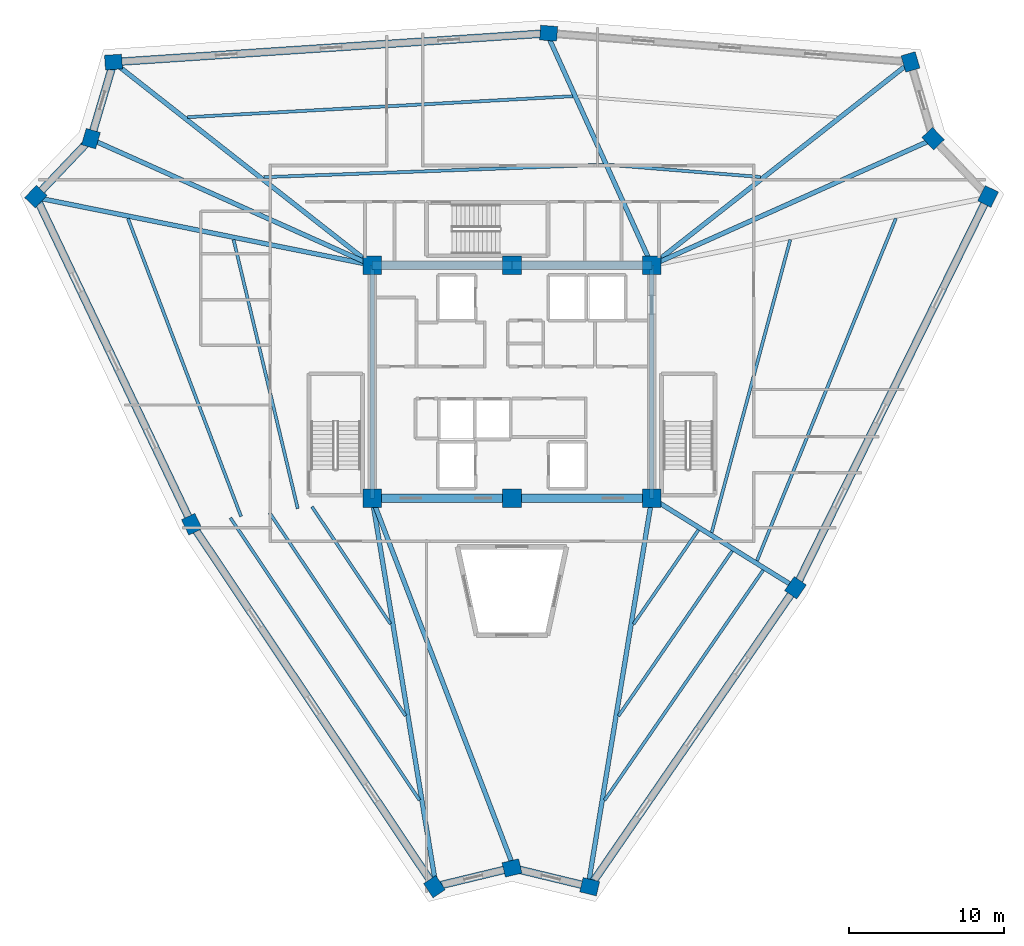
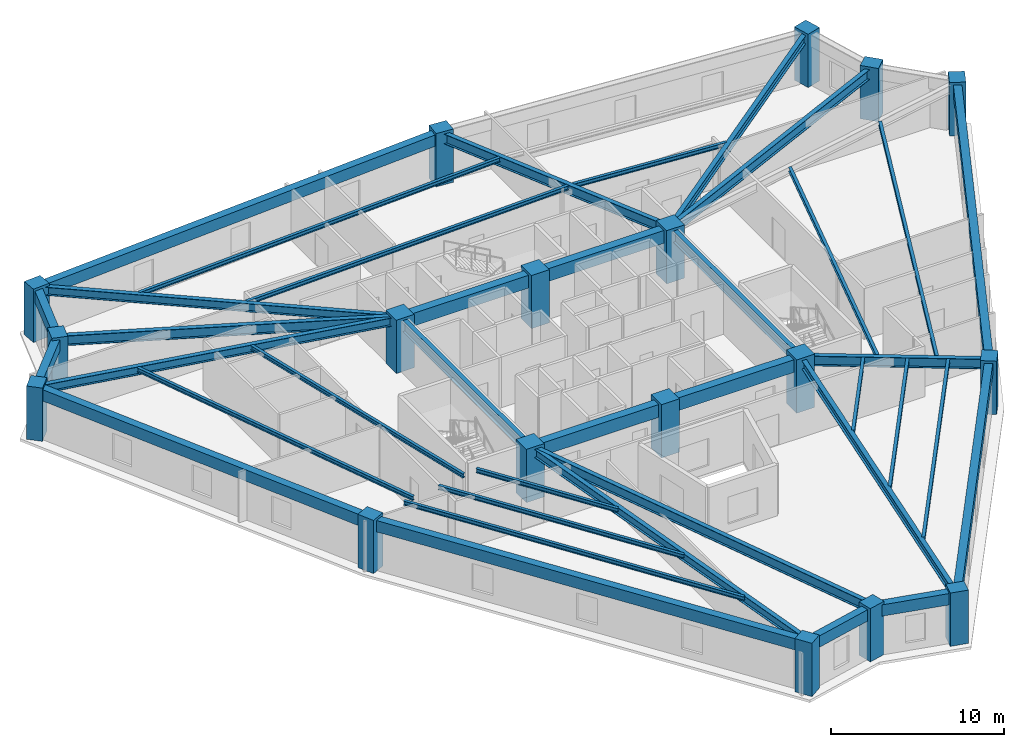
# One storey, part 1 of 8: 38 beams, 18 columns.
"""IFC4 building model written with IfcOpenShell, lengths in metres."""

from ifc_helpers import new_model, si_unit, direction, frame, origin, origin_2d, place, context, subcontext, project, spatial, rectangle, i_section, extrude, source, transform, mapped, material, material_profile, profile_set, type_object, element, save


model = new_model("IFC4")

# Units and contexts
model_context = context("Model", 3, precision=1e-05, world=origin(), true_north=direction((0.0, 1.0)))
body_context = subcontext(model_context, "Body", "Model", "MODEL_VIEW")
ifc_project = project(units=[si_unit("LENGTHUNIT", "METRE"), si_unit("AREAUNIT", "SQUARE_METRE"), si_unit("VOLUMEUNIT", "CUBIC_METRE"), si_unit("PLANEANGLEUNIT", "RADIAN"), si_unit("MASSUNIT", "GRAM", prefix="KILO")], contexts=[model_context])

# Site, building, storey
site_placement = place(None, origin())
site = spatial("IfcSite", under=ifc_project, at=site_placement, CompositionType="ELEMENT")
building_placement = place(site_placement, origin())
building = spatial("IfcBuilding", under=site, at=building_placement, Name="Liaohun Quay Tower", CompositionType="ELEMENT")
storey_placement = place(building_placement, frame((0.0, 0.0, 294.0)))
storey = spatial("IfcBuildingStorey", under=building, at=storey_placement, Name="L76", CompositionType="ELEMENT", Elevation=294.0)

# Columns
ifc_material_1 = material(Name="Concrete C50", Category="concrete")
ifc_material_profile_1 = material_profile(ifc_material_1, rectangle(XDim=1.199951171875, YDim=1.199951171875, at=origin_2d()), Name="RC1200x1200")
ifc_profile_set_1 = profile_set([ifc_material_profile_1], Name="Concrete C50")
column_type_1 = type_object("IfcColumnType", Name="COL-CC-Z4", PredefinedType="COLUMN", material=ifc_profile_set_1)
shared_shape_1 = source(origin(), body_context, "Body", "SweptSolid", [
    extrude(rectangle(XDim=1.199951171875, YDim=1.199951171875, at=origin_2d()), origin(), (0.0, 0.0, 1.0), 3.75),
])
for number, where, z_axis, x_axis, name in (
    (1, (51.0, 46.5, 0.0), (0.0, 0.0, 1.0), (1.0, 0.0, 0.0), "L76 Core Column CC1"),
    (2, (60.0, 46.5, 0.0), (0.0, 0.0, 1.0), (1.0, 0.0, 0.0), "L76 Core Column CC2"),
    (3, (69.0, 46.5, 0.0), (0.0, 0.0, 1.0), (1.0, 0.0, 0.0), "L76 Core Column CC3"),
    (4, (69.0, 61.5, 0.0), (0.0, 0.0, 1.0), (1.0, 0.0, 0.0), "L76 Core Column CC4"),
    (5, (60.0, 61.5, 0.0), (0.0, 0.0, 1.0), (1.0, 0.0, 0.0), "L76 Core Column CC5"),
    (6, (51.0, 61.5, 0.0), (0.0, 0.0, 1.0), (1.0, 0.0, 0.0), "L76 Core Column CC6"),
):
    element("IfcColumn", number, at=place(storey_placement, frame(where, z_axis=z_axis, x_axis=x_axis)), inside=storey, type_object=column_type_1, Name=name, PredefinedType="COLUMN", context=body_context, shape_type="MappedRepresentation", body=[
        mapped(shared_shape_1, transform((0.0, 0.0, 0.0), x_axis=(1.0, 0.0, 0.0), y_axis=(0.0, 1.0, 0.0), z_axis=(0.0, 0.0, 1.0), scale=1.0)),
    ])
ifc_material_profile_2 = material_profile(ifc_material_1, rectangle(XDim=1.10009765625, YDim=0.949951171875, at=origin_2d()), Name="RC1100x950")
ifc_profile_set_2 = profile_set([ifc_material_profile_2], Name="Concrete C50")
column_type_2 = type_object("IfcColumnType", Name="COL-PIER-Z4", PredefinedType="COLUMN", material=ifc_profile_set_2)
shared_shape_2 = source(origin(), body_context, "Body", "SweptSolid", [
    extrude(rectangle(XDim=1.10009765625, YDim=0.949951171875, at=origin_2d()), origin(), (0.0, 0.0, 1.0), 3.75),
])
for number, where, z_axis, x_axis, name in (
    (7, (55.008056640625, 21.507080078125, 0.0), (0.0, 0.0, 1.0), (-0.556150572878, 0.831081548518, 0.0), "L76 Perimeter Pier PC01"),
    (8, (39.39697265625, 44.8310546875, 0.0), (0.0, 0.0, 1.0), (-0.429880868547, 0.902885617815, 0.0), "L76 Perimeter Pier PC02"),
    (9, (29.35791015625, 65.9169921875, 0.0), (0.0, 0.0, 1.0), (0.68936671806, 0.724412539946, 0.0), "L76 Perimeter Pier PC03"),
    (10, (32.904052734375, 69.64404296875, 0.0), (0.0, 0.0, 1.0), (0.28284371374, 0.959166009405, 0.0), "L76 Perimeter Pier PC04"),
    (11, (34.35693359375, 74.570068359375, 0.0), (0.0, 0.0, 1.0), (0.997813020072, 0.066099750182, 0.0), "L76 Perimeter Pier PC05"),
    (12, (62.360107421875, 76.427001953125, 0.0), (0.0, 0.0, 1.0), (-0.996862316013, 0.079155056145, 0.0), "L76 Perimeter Pier PC06"),
    (13, (85.64111328125, 74.577880859375, 0.0), (0.0, 0.0, 1.0), (-0.28284371374, 0.959166009405, 0.0), "L76 Perimeter Pier PC07"),
    (14, (87.095947265625, 69.64404296875, 0.0), (0.0, 0.0, 1.0), (-0.68936671806, 0.724412539946, 0.0), "L76 Perimeter Pier PC08"),
    (15, (90.636962890625, 65.923095703125, 0.0), (0.0, 0.0, 1.0), (0.441662447194, 0.897181298701, 0.0), "L76 Perimeter Pier PC09"),
    (16, (78.241943359375, 40.741943359375, 0.0), (0.0, 0.0, 1.0), (0.566981447466, 0.82373056167, 0.0), "L76 Perimeter Pier PC10"),
    (17, (65.0, 21.5048828125, 0.0), (0.0, 0.0, 1.0), (-0.972083987461, 0.234633163303, 0.0), "L76 Perimeter Pier PC11"),
    (18, (60.0, 22.7119140625, 0.0), (0.0, 0.0, 1.0), (0.972083987461, 0.234633163303, 0.0), "L76 Perimeter Pier PC12"),
):
    element("IfcColumn", number, at=place(storey_placement, frame(where, z_axis=z_axis, x_axis=x_axis)), inside=storey, type_object=column_type_2, Name=name, PredefinedType="COLUMN", context=body_context, shape_type="MappedRepresentation", body=[
        mapped(shared_shape_2, transform((0.0, 0.0, 0.0), x_axis=(1.0, 0.0, 0.0), y_axis=(0.0, 1.0, 0.0), z_axis=(0.0, 0.0, 1.0), scale=1.0)),
    ])

# Beams
ifc_material_2 = material(Name="Steel Q355D", Category="steel")
ifc_material_profile_3 = material_profile(ifc_material_2, i_section(OverallWidth=0.300048828125, OverallDepth=0.800048828125, WebThickness=0.013916015625, FlangeThickness=0.02587890625, at=origin_2d()), Name="HN800x300x14x26")
ifc_profile_set_3 = profile_set([ifc_material_profile_3], Name="Steel Q355D")
beam_type_1 = type_object("IfcBeamType", Name="BM-RAD-M1", PredefinedType="BEAM", material=ifc_profile_set_3)
shared_shape_3 = source(origin(), body_context, "Body", "SweptSolid", [
    extrude(i_section(OverallWidth=0.300048828125, OverallDepth=0.800048828125, WebThickness=0.013916015625, FlangeThickness=0.02587890625, at=origin_2d()), origin(), (0.0, 0.0, 1.0), 15.0),
])
for number, where, z_axis, x_axis, name in (
    (19, (69.0, 46.5, 3.169921875), (0.0, 1.0, 0.0), (-1.0, 0.0, 0.0), "L76 Core Coupling/Ring Beam CC3-CC4"),
    (20, (51.0, 61.5, 3.169921875), (0.0, -1.0, 0.0), (1.0, 0.0, 0.0), "L76 Core Coupling/Ring Beam CC6-CC1"),
):
    element("IfcBeam", number, at=place(storey_placement, frame(where, z_axis=z_axis, x_axis=x_axis)), inside=storey, type_object=beam_type_1, Name=name, PredefinedType="BEAM", context=body_context, shape_type="MappedRepresentation", body=[
        mapped(shared_shape_3, transform((0.0, 0.0, 0.0), x_axis=(1.0, 0.0, 0.0), y_axis=(0.0, 1.0, 0.0), z_axis=(0.0, 0.0, 1.0), scale=1.0)),
    ])
ifc_material_3 = material(Name="Concrete C55", Category="concrete")
ifc_material_profile_4 = material_profile(ifc_material_3, rectangle(XDim=0.550048828125, YDim=0.89990234375, at=origin_2d()), Name="RC550x900")
ifc_profile_set_4 = profile_set([ifc_material_profile_4], Name="Concrete C55")
beam_type_2 = type_object("IfcBeamType", Name="BM-CPL-2", PredefinedType="LINTEL", material=ifc_profile_set_4)
shared_shape_4 = source(origin(), body_context, "Body", "SweptSolid", [
    extrude(rectangle(XDim=0.550048828125, YDim=0.89990234375, at=origin_2d()), origin(), (0.0, 0.0, 1.0), 9.0),
])
for number, where, z_axis, x_axis, name in (
    (21, (51.0, 46.5, 3.1201171875), (1.0, 0.0, 0.0), (0.0, 1.0, 0.0), "L76 Core Coupling/Ring Beam CC1-CC2"),
    (22, (60.0, 46.5, 3.1201171875), (1.0, 0.0, 0.0), (0.0, 1.0, 0.0), "L76 Core Coupling/Ring Beam CC2-CC3"),
    (23, (69.0, 61.5, 3.1201171875), (-1.0, 0.0, 0.0), (0.0, -1.0, 0.0), "L76 Core Coupling/Ring Beam CC4-CC5"),
    (24, (60.0, 61.5, 3.1201171875), (-1.0, 0.0, 0.0), (0.0, -1.0, 0.0), "L76 Core Coupling/Ring Beam CC5-CC6"),
):
    element("IfcBeam", number, at=place(storey_placement, frame(where, z_axis=z_axis, x_axis=x_axis)), inside=storey, type_object=beam_type_2, Name=name, PredefinedType="LINTEL", context=body_context, shape_type="MappedRepresentation", body=[
        mapped(shared_shape_4, transform((0.0, 0.0, 0.0), x_axis=(1.0, 0.0, 0.0), y_axis=(0.0, 1.0, 0.0), z_axis=(0.0, 0.0, 1.0), scale=1.0)),
    ])
ifc_material_4 = material(Name="Precast concrete C50", Category="concrete")
ifc_material_profile_5 = material_profile(ifc_material_4, rectangle(XDim=0.5, YDim=0.800048828125, at=origin_2d()), Name="RC500x800")
ifc_profile_set_5 = profile_set([ifc_material_profile_5], Name="Precast concrete C50")
beam_type_3 = type_object("IfcBeamType", Name="BM-SPD-Z4", PredefinedType="SPANDREL", material=ifc_profile_set_5)
shared_shape_5 = source(origin(), body_context, "Body", "SweptSolid", [
    extrude(rectangle(XDim=0.5, YDim=0.800048828125, at=origin_2d()), origin(), (0.0, 0.0, 1.0), 28.066162109375),
])
beam_1_placement = place(storey_placement, frame((55.008056640625, 21.507080078125, 3.169921875), z_axis=(-0.556222882219, 0.831033155353, 0.0), x_axis=(-0.831033155353, -0.556222882219, 0.0)))
element("IfcBeam", 25, at=beam_1_placement, inside=storey, type_object=beam_type_3, Name="L76 Precast Spandrel Beam PC01-PC02", PredefinedType="SPANDREL", context=body_context, shape_type="MappedRepresentation", body=[
    mapped(shared_shape_5, transform((0.0, 0.0, 0.0), x_axis=(1.0, 0.0, 0.0), y_axis=(0.0, 1.0, 0.0), z_axis=(0.0, 0.0, 1.0), scale=1.0)),
])
shared_shape_6 = source(origin(), body_context, "Body", "SweptSolid", [
    extrude(rectangle(XDim=0.5, YDim=0.800048828125, at=origin_2d()), origin(), (0.0, 0.0, 1.0), 23.353759765625),
])
beam_2_placement = place(storey_placement, frame((39.39697265625, 44.8310546875, 3.169921875), z_axis=(-0.429868652378, 0.902891434062, 0.0), x_axis=(-0.902891434062, -0.429868652378, 0.0)))
element("IfcBeam", 26, at=beam_2_placement, inside=storey, type_object=beam_type_3, Name="L76 Precast Spandrel Beam PC02-PC03", PredefinedType="SPANDREL", context=body_context, shape_type="MappedRepresentation", body=[
    mapped(shared_shape_6, transform((0.0, 0.0, 0.0), x_axis=(1.0, 0.0, 0.0), y_axis=(0.0, 1.0, 0.0), z_axis=(0.0, 0.0, 1.0), scale=1.0)),
])
shared_shape_7 = source(origin(), body_context, "Body", "SweptSolid", [
    extrude(rectangle(XDim=0.5, YDim=0.800048828125, at=origin_2d()), origin(), (0.0, 0.0, 1.0), 5.14453125),
])
beam_3_placement = place(storey_placement, frame((29.35791015625, 65.9169921875, 3.169921875), z_axis=(0.689305516601, 0.724470775658, 0.0), x_axis=(-0.724470775658, 0.689305516601, 0.0)))
element("IfcBeam", 27, at=beam_3_placement, inside=storey, type_object=beam_type_3, Name="L76 Precast Spandrel Beam PC03-PC04", PredefinedType="SPANDREL", context=body_context, shape_type="MappedRepresentation", body=[
    mapped(shared_shape_7, transform((0.0, 0.0, 0.0), x_axis=(1.0, 0.0, 0.0), y_axis=(0.0, 1.0, 0.0), z_axis=(0.0, 0.0, 1.0), scale=1.0)),
])
shared_shape_8 = source(origin(), body_context, "Body", "SweptSolid", [
    extrude(rectangle(XDim=0.5, YDim=0.800048828125, at=origin_2d()), origin(), (0.0, 0.0, 1.0), 5.1357421875),
])
beam_4_placement = place(storey_placement, frame((32.904052734375, 69.64404296875, 3.169921875), z_axis=(0.282892013425, 0.959151765228, 0.0), x_axis=(-0.959151765228, 0.282892013425, 0.0)))
element("IfcBeam", 28, at=beam_4_placement, inside=storey, type_object=beam_type_3, Name="L76 Precast Spandrel Beam PC04-PC05", PredefinedType="SPANDREL", context=body_context, shape_type="MappedRepresentation", body=[
    mapped(shared_shape_8, transform((0.0, 0.0, 0.0), x_axis=(1.0, 0.0, 0.0), y_axis=(0.0, 1.0, 0.0), z_axis=(0.0, 0.0, 1.0), scale=1.0)),
])
shared_shape_9 = source(origin(), body_context, "Body", "SweptSolid", [
    extrude(rectangle(XDim=0.5, YDim=0.800048828125, at=origin_2d()), origin(), (0.0, 0.0, 1.0), 28.064697265625),
])
beam_5_placement = place(storey_placement, frame((34.35693359375, 74.570068359375, 3.169921875), z_axis=(0.997808614165, 0.066166226269, 0.0), x_axis=(-0.066166226269, 0.997808614165, 0.0)))
element("IfcBeam", 29, at=beam_5_placement, inside=storey, type_object=beam_type_3, Name="L76 Precast Spandrel Beam PC05-PC06", PredefinedType="SPANDREL", context=body_context, shape_type="MappedRepresentation", body=[
    mapped(shared_shape_9, transform((0.0, 0.0, 0.0), x_axis=(1.0, 0.0, 0.0), y_axis=(0.0, 1.0, 0.0), z_axis=(0.0, 0.0, 1.0), scale=1.0)),
])
shared_shape_10 = source(origin(), body_context, "Body", "SweptSolid", [
    extrude(rectangle(XDim=0.5, YDim=0.800048828125, at=origin_2d()), origin(), (0.0, 0.0, 1.0), 28.06640625),
])
beam_6_placement = place(storey_placement, frame((90.636962890625, 65.923095703125, 3.169921875), z_axis=(-0.441630811572, -0.897196871523, 0.0), x_axis=(0.897196871523, -0.441630811572, 0.0)))
element("IfcBeam", 30, at=beam_6_placement, inside=storey, type_object=beam_type_3, Name="L76 Precast Spandrel Beam PC09-PC10", PredefinedType="SPANDREL", context=body_context, shape_type="MappedRepresentation", body=[
    mapped(shared_shape_10, transform((0.0, 0.0, 0.0), x_axis=(1.0, 0.0, 0.0), y_axis=(0.0, 1.0, 0.0), z_axis=(0.0, 0.0, 1.0), scale=1.0)),
])
shared_shape_11 = source(origin(), body_context, "Body", "SweptSolid", [
    extrude(rectangle(XDim=0.5, YDim=0.800048828125, at=origin_2d()), origin(), (0.0, 0.0, 1.0), 23.35400390625),
])
beam_7_placement = place(storey_placement, frame((78.241943359375, 40.741943359375, 3.169921875), z_axis=(-0.567007442429, -0.823712668489, 0.0), x_axis=(0.823712668489, -0.567007442429, 0.0)))
element("IfcBeam", 31, at=beam_7_placement, inside=storey, type_object=beam_type_3, Name="L76 Precast Spandrel Beam PC10-PC11", PredefinedType="SPANDREL", context=body_context, shape_type="MappedRepresentation", body=[
    mapped(shared_shape_11, transform((0.0, 0.0, 0.0), x_axis=(1.0, 0.0, 0.0), y_axis=(0.0, 1.0, 0.0), z_axis=(0.0, 0.0, 1.0), scale=1.0)),
])
shared_shape_12 = source(origin(), body_context, "Body", "SweptSolid", [
    extrude(rectangle(XDim=0.5, YDim=0.800048828125, at=origin_2d()), origin(), (0.0, 0.0, 1.0), 5.1435546875),
])
beam_8_placement = place(storey_placement, frame((65.0, 21.5048828125, 3.169921875), z_axis=(-0.972076235178, 0.234665278648, 0.0), x_axis=(-0.234665278648, -0.972076235178, 0.0)))
element("IfcBeam", 32, at=beam_8_placement, inside=storey, type_object=beam_type_3, Name="L76 Precast Spandrel Beam PC11-PC12", PredefinedType="SPANDREL", context=body_context, shape_type="MappedRepresentation", body=[
    mapped(shared_shape_12, transform((0.0, 0.0, 0.0), x_axis=(1.0, 0.0, 0.0), y_axis=(0.0, 1.0, 0.0), z_axis=(0.0, 0.0, 1.0), scale=1.0)),
])
shared_shape_13 = source(origin(), body_context, "Body", "SweptSolid", [
    extrude(rectangle(XDim=0.5, YDim=0.800048828125, at=origin_2d()), origin(), (0.0, 0.0, 1.0), 5.13525390625),
])
beam_9_placement = place(storey_placement, frame((60.0, 22.7119140625, 3.169921875), z_axis=(-0.972087443273, -0.234618845432, 0.0), x_axis=(0.234618845432, -0.972087443273, 0.0)))
element("IfcBeam", 33, at=beam_9_placement, inside=storey, type_object=beam_type_3, Name="L76 Precast Spandrel Beam PC12-PC01", PredefinedType="SPANDREL", context=body_context, shape_type="MappedRepresentation", body=[
    mapped(shared_shape_13, transform((0.0, 0.0, 0.0), x_axis=(1.0, 0.0, 0.0), y_axis=(0.0, 1.0, 0.0), z_axis=(0.0, 0.0, 1.0), scale=1.0)),
])
ifc_material_profile_6 = material_profile(ifc_material_2, i_section(OverallWidth=0.300048828125, OverallDepth=0.587890625, WebThickness=0.011962890625, FlangeThickness=0.02001953125, at=origin_2d()), Name="HM588x300x12x20")
ifc_profile_set_6 = profile_set([ifc_material_profile_6], Name="Steel Q355D")
beam_type_4 = type_object("IfcBeamType", Name="BM-RAD-U2", PredefinedType="BEAM", material=ifc_profile_set_6)
shared_shape_14 = source(origin(), body_context, "Body", "SweptSolid", [
    extrude(i_section(OverallWidth=0.300048828125, OverallDepth=0.587890625, WebThickness=0.011962890625, FlangeThickness=0.02001953125, at=origin_2d()), origin(), (0.0, 0.0, 1.0), 24.9853515625),
])
beam_10_placement = place(storey_placement, frame((51.0, 46.5, 3.27587890625), z_axis=(0.162536853645, -0.986702473498, 0.0), x_axis=(0.986702473498, 0.162536853645, 0.0)))
element("IfcBeam", 34, at=beam_10_placement, inside=storey, type_object=beam_type_4, Name="L76 Radial Primary Girder CC1-PC01", PredefinedType="BEAM", context=body_context, shape_type="MappedRepresentation", body=[
    mapped(shared_shape_14, transform((0.0, 0.0, 0.0), x_axis=(1.0, 0.0, 0.0), y_axis=(0.0, 1.0, 0.0), z_axis=(0.0, 0.0, 1.0), scale=1.0)),
])
shared_shape_15 = source(origin(), body_context, "Body", "SweptSolid", [
    extrude(i_section(OverallWidth=0.300048828125, OverallDepth=0.587890625, WebThickness=0.011962890625, FlangeThickness=0.02001953125, at=origin_2d()), origin(), (0.0, 0.0, 1.0), 21.748046875),
])
beam_11_placement = place(storey_placement, frame((51.0, 61.5, 3.27587890625), z_axis=(-0.98032380325, 0.197396151893, 0.0), x_axis=(-0.197396151893, -0.98032380325, 0.0)))
element("IfcBeam", 35, at=beam_11_placement, inside=storey, type_object=beam_type_4, Name="L76 Radial Primary Girder CC6-PC03", PredefinedType="BEAM", context=body_context, shape_type="MappedRepresentation", body=[
    mapped(shared_shape_15, transform((0.0, 0.0, 0.0), x_axis=(1.0, 0.0, 0.0), y_axis=(0.0, 1.0, 0.0), z_axis=(0.0, 0.0, 1.0), scale=1.0)),
])
ifc_material_profile_7 = material_profile(ifc_material_2, i_section(OverallWidth=0.300048828125, OverallDepth=0.699951171875, WebThickness=0.012939453125, FlangeThickness=0.02392578125, at=origin_2d()), Name="HN700x300x13x24")
ifc_profile_set_7 = profile_set([ifc_material_profile_7], Name="Steel Q355D")
beam_type_5 = type_object("IfcBeamType", Name="BM-RAD-U1", PredefinedType="BEAM", material=ifc_profile_set_7)
shared_shape_16 = source(origin(), body_context, "Body", "SweptSolid", [
    extrude(i_section(OverallWidth=0.300048828125, OverallDepth=0.699951171875, WebThickness=0.012939453125, FlangeThickness=0.02392578125, at=origin_2d()), origin(), (0.0, 0.0, 1.0), 19.517822265625),
])
for number, where, z_axis, x_axis, name in (
    (36, (51.0, 61.5, 3.219970703125), (-0.912599463054, 0.408854766432, 0.0), (-0.408854766432, -0.912599463054, 0.0), "L76 Radial Primary Girder CC6-PC04"),
    (37, (69.0, 61.5, 3.219970703125), (0.912599463054, 0.408854766432, 0.0), (-0.408854766432, 0.912599463054, 0.0), "L76 Radial Primary Girder CC4-PC08"),
):
    element("IfcBeam", number, at=place(storey_placement, frame(where, z_axis=z_axis, x_axis=x_axis)), inside=storey, type_object=beam_type_5, Name=name, PredefinedType="BEAM", context=body_context, shape_type="MappedRepresentation", body=[
        mapped(shared_shape_16, transform((0.0, 0.0, 0.0), x_axis=(1.0, 0.0, 0.0), y_axis=(0.0, 1.0, 0.0), z_axis=(0.0, 0.0, 1.0), scale=1.0)),
    ])
shared_shape_17 = source(origin(), body_context, "Body", "SweptSolid", [
    extrude(i_section(OverallWidth=0.300048828125, OverallDepth=0.587890625, WebThickness=0.011962890625, FlangeThickness=0.02001953125, at=origin_2d()), origin(), (0.0, 0.0, 1.0), 20.817626953125),
])
beam_12_placement = place(storey_placement, frame((51.0, 61.5, 3.27587890625), z_axis=(-0.786640537364, 0.61741126081, 0.0), x_axis=(-0.61741126081, -0.786640537364, 0.0)))
element("IfcBeam", 38, at=beam_12_placement, inside=storey, type_object=beam_type_4, Name="L76 Radial Primary Girder CC6-PC05", PredefinedType="BEAM", context=body_context, shape_type="MappedRepresentation", body=[
    mapped(shared_shape_17, transform((0.0, 0.0, 0.0), x_axis=(1.0, 0.0, 0.0), y_axis=(0.0, 1.0, 0.0), z_axis=(0.0, 0.0, 1.0), scale=1.0)),
])
shared_shape_18 = source(origin(), body_context, "Body", "SweptSolid", [
    extrude(i_section(OverallWidth=0.300048828125, OverallDepth=0.699951171875, WebThickness=0.012939453125, FlangeThickness=0.02392578125, at=origin_2d()), origin(), (0.0, 0.0, 1.0), 16.1455078125),
])
beam_13_placement = place(storey_placement, frame((69.0, 61.5, 3.219970703125), z_axis=(-0.412749979217, 0.910844363575, 0.0), x_axis=(-0.910844363575, -0.412749979217, 0.0)))
element("IfcBeam", 39, at=beam_13_placement, inside=storey, type_object=beam_type_5, Name="L76 Radial Primary Girder CC4-PC06", PredefinedType="BEAM", context=body_context, shape_type="MappedRepresentation", body=[
    mapped(shared_shape_18, transform((0.0, 0.0, 0.0), x_axis=(1.0, 0.0, 0.0), y_axis=(0.0, 1.0, 0.0), z_axis=(0.0, 0.0, 1.0), scale=1.0)),
])
shared_shape_19 = source(origin(), body_context, "Body", "SweptSolid", [
    extrude(i_section(OverallWidth=0.300048828125, OverallDepth=0.587890625, WebThickness=0.011962890625, FlangeThickness=0.02001953125, at=origin_2d()), origin(), (0.0, 0.0, 1.0), 20.821044921875),
])
beam_14_placement = place(storey_placement, frame((69.0, 61.5, 3.27587890625), z_axis=(0.786416794817, 0.617696223746, 0.0), x_axis=(-0.617696223746, 0.786416794817, 0.0)))
element("IfcBeam", 40, at=beam_14_placement, inside=storey, type_object=beam_type_4, Name="L76 Radial Primary Girder CC4-PC07", PredefinedType="BEAM", context=body_context, shape_type="MappedRepresentation", body=[
    mapped(shared_shape_19, transform((0.0, 0.0, 0.0), x_axis=(1.0, 0.0, 0.0), y_axis=(0.0, 1.0, 0.0), z_axis=(0.0, 0.0, 1.0), scale=1.0)),
])
shared_shape_20 = source(origin(), body_context, "Body", "SweptSolid", [
    extrude(i_section(OverallWidth=0.300048828125, OverallDepth=0.699951171875, WebThickness=0.012939453125, FlangeThickness=0.02392578125, at=origin_2d()), origin(), (0.0, 0.0, 1.0), 10.666259765625),
])
beam_15_placement = place(storey_placement, frame((69.0, 46.5, 3.219970703125), z_axis=(0.849586407491, -0.527449463178, 0.0), x_axis=(0.527449463178, 0.849586407491, 0.0)))
element("IfcBeam", 41, at=beam_15_placement, inside=storey, type_object=beam_type_5, Name="L76 Radial Primary Girder CC3-PC10", PredefinedType="BEAM", context=body_context, shape_type="MappedRepresentation", body=[
    mapped(shared_shape_20, transform((0.0, 0.0, 0.0), x_axis=(1.0, 0.0, 0.0), y_axis=(0.0, 1.0, 0.0), z_axis=(0.0, 0.0, 1.0), scale=1.0)),
])
shared_shape_21 = source(origin(), body_context, "Body", "SweptSolid", [
    extrude(i_section(OverallWidth=0.300048828125, OverallDepth=0.587890625, WebThickness=0.011962890625, FlangeThickness=0.02001953125, at=origin_2d()), origin(), (0.0, 0.0, 1.0), 24.98583984375),
])
beam_16_placement = place(storey_placement, frame((69.0, 46.5, 3.27587890625), z_axis=(-0.162210379845, -0.986756197179, 0.0), x_axis=(0.986756197179, -0.162210379845, 0.0)))
element("IfcBeam", 42, at=beam_16_placement, inside=storey, type_object=beam_type_4, Name="L76 Radial Primary Girder CC3-PC11", PredefinedType="BEAM", context=body_context, shape_type="MappedRepresentation", body=[
    mapped(shared_shape_21, transform((0.0, 0.0, 0.0), x_axis=(1.0, 0.0, 0.0), y_axis=(0.0, 1.0, 0.0), z_axis=(0.0, 0.0, 1.0), scale=1.0)),
])
shared_shape_22 = source(origin(), body_context, "Body", "SweptSolid", [
    extrude(i_section(OverallWidth=0.300048828125, OverallDepth=0.699951171875, WebThickness=0.012939453125, FlangeThickness=0.02392578125, at=origin_2d()), origin(), (0.0, 0.0, 1.0), 25.126953125),
])
beam_17_placement = place(storey_placement, frame((51.0, 46.5, 3.219970703125), z_axis=(0.358179411361, -0.933652777684, 0.0), x_axis=(0.933652777684, 0.358179411361, 0.0)))
element("IfcBeam", 43, at=beam_17_placement, inside=storey, type_object=beam_type_5, Name="L76 Radial Primary Girder CC1-PC12", PredefinedType="BEAM", context=body_context, shape_type="MappedRepresentation", body=[
    mapped(shared_shape_22, transform((0.0, 0.0, 0.0), x_axis=(1.0, 0.0, 0.0), y_axis=(0.0, 1.0, 0.0), z_axis=(0.0, 0.0, 1.0), scale=1.0)),
])
ifc_material_profile_8 = material_profile(ifc_material_2, i_section(OverallWidth=0.199951171875, OverallDepth=0.2939453125, WebThickness=0.008056640625, FlangeThickness=0.011962890625, at=origin_2d()), Name="HM294x200x8x12")
ifc_profile_set_8 = profile_set([ifc_material_profile_8], Name="Steel Q355D")
beam_type_6 = type_object("IfcBeamType", Name="BM-SEC-J4", PredefinedType="JOIST", material=ifc_profile_set_8)
shared_shape_23 = source(origin(), body_context, "Body", "SweptSolid", [
    extrude(i_section(OverallWidth=0.199951171875, OverallDepth=0.2939453125, WebThickness=0.008056640625, FlangeThickness=0.011962890625, at=origin_2d()), origin(), (0.0, 0.0, 1.0), 9.080322265625),
])
beam_18_placement = place(storey_placement, frame((52.178955078125, 38.4189453125, 3.423095703125), z_axis=(-0.556578771614, 0.8307948429, 0.0), x_axis=(-0.8307948429, -0.556578771614, 0.0)))
element("IfcBeam", 44, at=beam_18_placement, inside=storey, type_object=beam_type_6, Name="L76 Wing Secondary Floor Joist SJ-01", PredefinedType="JOIST", context=body_context, shape_type="MappedRepresentation", body=[
    mapped(shared_shape_23, transform((0.0, 0.0, 0.0), x_axis=(1.0, 0.0, 0.0), y_axis=(0.0, 1.0, 0.0), z_axis=(0.0, 0.0, 1.0), scale=1.0)),
])
shared_shape_24 = source(origin(), body_context, "Body", "SweptSolid", [
    extrude(i_section(OverallWidth=0.199951171875, OverallDepth=0.2939453125, WebThickness=0.008056640625, FlangeThickness=0.011962890625, at=origin_2d()), origin(), (0.0, 0.0, 1.0), 15.7470703125),
])
beam_19_placement = place(storey_placement, frame((53.154052734375, 32.501953125, 3.423095703125), z_axis=(-0.556623589585, 0.830764816008, 0.0), x_axis=(-0.830764816008, -0.556623589585, 0.0)))
element("IfcBeam", 45, at=beam_19_placement, inside=storey, type_object=beam_type_6, Name="L76 Wing Secondary Floor Joist SJ-02", PredefinedType="JOIST", context=body_context, shape_type="MappedRepresentation", body=[
    mapped(shared_shape_24, transform((0.0, 0.0, 0.0), x_axis=(1.0, 0.0, 0.0), y_axis=(0.0, 1.0, 0.0), z_axis=(0.0, 0.0, 1.0), scale=1.0)),
])
shared_shape_25 = source(origin(), body_context, "Body", "SweptSolid", [
    extrude(i_section(OverallWidth=0.199951171875, OverallDepth=0.2939453125, WebThickness=0.008056640625, FlangeThickness=0.011962890625, at=origin_2d()), origin(), (0.0, 0.0, 1.0), 21.857421875),
])
beam_20_placement = place(storey_placement, frame((54.047119140625, 27.077880859375, 3.423095703125), z_axis=(-0.556565004096, 0.83080406608, 0.0), x_axis=(-0.83080406608, -0.556565004096, 0.0)))
element("IfcBeam", 46, at=beam_20_placement, inside=storey, type_object=beam_type_6, Name="L76 Wing Secondary Floor Joist SJ-03", PredefinedType="JOIST", context=body_context, shape_type="MappedRepresentation", body=[
    mapped(shared_shape_25, transform((0.0, 0.0, 0.0), x_axis=(1.0, 0.0, 0.0), y_axis=(0.0, 1.0, 0.0), z_axis=(0.0, 0.0, 1.0), scale=1.0)),
])
shared_shape_26 = source(origin(), body_context, "Body", "SweptSolid", [
    extrude(i_section(OverallWidth=0.199951171875, OverallDepth=0.2939453125, WebThickness=0.008056640625, FlangeThickness=0.011962890625, at=origin_2d()), origin(), (0.0, 0.0, 1.0), 17.791015625),
])
beam_21_placement = place(storey_placement, frame((46.212890625, 45.8369140625, 3.423095703125), z_axis=(-0.232079360093, 0.97269685443, 0.0), x_axis=(-0.97269685443, -0.232079360093, 0.0)))
element("IfcBeam", 47, at=beam_21_placement, inside=storey, type_object=beam_type_6, Name="L76 Wing Secondary Floor Joist SJ-04", PredefinedType="JOIST", context=body_context, shape_type="MappedRepresentation", body=[
    mapped(shared_shape_26, transform((0.0, 0.0, 0.0), x_axis=(1.0, 0.0, 0.0), y_axis=(0.0, 1.0, 0.0), z_axis=(0.0, 0.0, 1.0), scale=1.0)),
])
shared_shape_27 = source(origin(), body_context, "Body", "SweptSolid", [
    extrude(i_section(OverallWidth=0.199951171875, OverallDepth=0.2939453125, WebThickness=0.008056640625, FlangeThickness=0.011962890625, at=origin_2d()), origin(), (0.0, 0.0, 1.0), 20.513916015625),
])
beam_22_placement = place(storey_placement, frame((42.56494140625, 45.33203125, 3.423095703125), z_axis=(-0.354836482651, 0.934928377246, 0.0), x_axis=(-0.934928377246, -0.354836482651, 0.0)))
element("IfcBeam", 48, at=beam_22_placement, inside=storey, type_object=beam_type_6, Name="L76 Wing Secondary Floor Joist SJ-05", PredefinedType="JOIST", context=body_context, shape_type="MappedRepresentation", body=[
    mapped(shared_shape_27, transform((0.0, 0.0, 0.0), x_axis=(1.0, 0.0, 0.0), y_axis=(0.0, 1.0, 0.0), z_axis=(0.0, 0.0, 1.0), scale=1.0)),
])
shared_shape_28 = source(origin(), body_context, "Body", "SweptSolid", [
    extrude(i_section(OverallWidth=0.199951171875, OverallDepth=0.2939453125, WebThickness=0.008056640625, FlangeThickness=0.011962890625, at=origin_2d()), origin(), (0.0, 0.0, 1.0), 21.8935546875),
])
beam_23_placement = place(storey_placement, frame((44.027099609375, 67.1640625, 3.423095703125), z_axis=(0.999330462326, 0.0365872528, 0.0), x_axis=(-0.0365872528, 0.999330462326, 0.0)))
element("IfcBeam", 49, at=beam_23_placement, inside=storey, type_object=beam_type_6, Name="L76 Wing Secondary Floor Joist SJ-06", PredefinedType="JOIST", context=body_context, shape_type="MappedRepresentation", body=[
    mapped(shared_shape_28, transform((0.0, 0.0, 0.0), x_axis=(1.0, 0.0, 0.0), y_axis=(0.0, 1.0, 0.0), z_axis=(0.0, 0.0, 1.0), scale=1.0)),
])
shared_shape_29 = source(origin(), body_context, "Body", "SweptSolid", [
    extrude(i_section(OverallWidth=0.199951171875, OverallDepth=0.2939453125, WebThickness=0.008056640625, FlangeThickness=0.011962890625, at=origin_2d()), origin(), (0.0, 0.0, 1.0), 24.835693359375),
])
beam_24_placement = place(storey_placement, frame((39.10888671875, 71.02392578125, 3.423095703125), z_axis=(0.998521349901, 0.054360958337, 0.0), x_axis=(-0.054360958337, 0.998521349901, 0.0)))
element("IfcBeam", 50, at=beam_24_placement, inside=storey, type_object=beam_type_6, Name="L76 Wing Secondary Floor Joist SJ-07", PredefinedType="JOIST", context=body_context, shape_type="MappedRepresentation", body=[
    mapped(shared_shape_29, transform((0.0, 0.0, 0.0), x_axis=(1.0, 0.0, 0.0), y_axis=(0.0, 1.0, 0.0), z_axis=(0.0, 0.0, 1.0), scale=1.0)),
])
shared_shape_30 = source(origin(), body_context, "Body", "SweptSolid", [
    extrude(i_section(OverallWidth=0.199951171875, OverallDepth=0.2939453125, WebThickness=0.008056640625, FlangeThickness=0.011962890625, at=origin_2d()), origin(), (0.0, 0.0, 1.0), 9.776123046875),
])
beam_25_placement = place(storey_placement, frame((66.239013671875, 67.95703125, 3.423095703125), z_axis=(0.996803754288, -0.079889144682, 0.0), x_axis=(0.079889144682, 0.996803754288, 0.0)))
element("IfcBeam", 51, at=beam_25_placement, inside=storey, type_object=beam_type_6, Name="L76 Wing Secondary Floor Joist SJ-08", PredefinedType="JOIST", context=body_context, shape_type="MappedRepresentation", body=[
    mapped(shared_shape_30, transform((0.0, 0.0, 0.0), x_axis=(1.0, 0.0, 0.0), y_axis=(0.0, 1.0, 0.0), z_axis=(0.0, 0.0, 1.0), scale=1.0)),
])
shared_shape_31 = source(origin(), body_context, "Body", "SweptSolid", [
    extrude(i_section(OverallWidth=0.199951171875, OverallDepth=0.2939453125, WebThickness=0.008056640625, FlangeThickness=0.011962890625, at=origin_2d()), origin(), (0.0, 0.0, 1.0), 19.5234375),
])
beam_26_placement = place(storey_placement, frame((77.907958984375, 63.14404296875, 3.423095703125), z_axis=(-0.259229854245, -0.96581565667, 0.0), x_axis=(0.96581565667, -0.259229854245, 0.0)))
element("IfcBeam", 52, at=beam_26_placement, inside=storey, type_object=beam_type_6, Name="L76 Wing Secondary Floor Joist SJ-10", PredefinedType="JOIST", context=body_context, shape_type="MappedRepresentation", body=[
    mapped(shared_shape_31, transform((0.0, 0.0, 0.0), x_axis=(1.0, 0.0, 0.0), y_axis=(0.0, 1.0, 0.0), z_axis=(0.0, 0.0, 1.0), scale=1.0)),
])
shared_shape_32 = source(origin(), body_context, "Body", "SweptSolid", [
    extrude(i_section(OverallWidth=0.199951171875, OverallDepth=0.2939453125, WebThickness=0.008056640625, FlangeThickness=0.011962890625, at=origin_2d()), origin(), (0.0, 0.0, 1.0), 23.781982421875),
])
beam_27_placement = place(storey_placement, frame((84.705078125, 64.514892578125, 3.423095703125), z_axis=(-0.376003903903, -0.926618078957, 0.0), x_axis=(0.926618078957, -0.376003903903, 0.0)))
element("IfcBeam", 53, at=beam_27_placement, inside=storey, type_object=beam_type_6, Name="L76 Wing Secondary Floor Joist SJ-11", PredefinedType="JOIST", context=body_context, shape_type="MappedRepresentation", body=[
    mapped(shared_shape_32, transform((0.0, 0.0, 0.0), x_axis=(1.0, 0.0, 0.0), y_axis=(0.0, 1.0, 0.0), z_axis=(0.0, 0.0, 1.0), scale=1.0)),
])
shared_shape_33 = source(origin(), body_context, "Body", "SweptSolid", [
    extrude(i_section(OverallWidth=0.199951171875, OverallDepth=0.2939453125, WebThickness=0.008056640625, FlangeThickness=0.011962890625, at=origin_2d()), origin(), (0.0, 0.0, 1.0), 7.35595703125),
])
beam_28_placement = place(storey_placement, frame((71.99609375, 44.464111328125, 3.423095703125), z_axis=(-0.567432772673, -0.823419728023, 0.0), x_axis=(0.823419728023, -0.567432772673, 0.0)))
element("IfcBeam", 54, at=beam_28_placement, inside=storey, type_object=beam_type_6, Name="L76 Wing Secondary Floor Joist SJ-12", PredefinedType="JOIST", context=body_context, shape_type="MappedRepresentation", body=[
    mapped(shared_shape_33, transform((0.0, 0.0, 0.0), x_axis=(1.0, 0.0, 0.0), y_axis=(0.0, 1.0, 0.0), z_axis=(0.0, 0.0, 1.0), scale=1.0)),
])
shared_shape_34 = source(origin(), body_context, "Body", "SweptSolid", [
    extrude(i_section(OverallWidth=0.199951171875, OverallDepth=0.2939453125, WebThickness=0.008056640625, FlangeThickness=0.011962890625, at=origin_2d()), origin(), (0.0, 0.0, 1.0), 12.90185546875),
])
beam_29_placement = place(storey_placement, frame((74.1708984375, 43.113037109375, 3.423095703125), z_axis=(-0.567498569072, -0.823374382709, 0.0), x_axis=(0.823374382709, -0.567498569072, 0.0)))
element("IfcBeam", 55, at=beam_29_placement, inside=storey, type_object=beam_type_6, Name="L76 Wing Secondary Floor Joist SJ-13", PredefinedType="JOIST", context=body_context, shape_type="MappedRepresentation", body=[
    mapped(shared_shape_34, transform((0.0, 0.0, 0.0), x_axis=(1.0, 0.0, 0.0), y_axis=(0.0, 1.0, 0.0), z_axis=(0.0, 0.0, 1.0), scale=1.0)),
])
shared_shape_35 = source(origin(), body_context, "Body", "SweptSolid", [
    extrude(i_section(OverallWidth=0.199951171875, OverallDepth=0.2939453125, WebThickness=0.008056640625, FlangeThickness=0.011962890625, at=origin_2d()), origin(), (0.0, 0.0, 1.0), 17.98681640625),
])
beam_30_placement = place(storey_placement, frame((76.1640625, 41.8759765625, 3.423095703125), z_axis=(-0.567476641528, -0.823389495512, 0.0), x_axis=(0.823389495512, -0.567476641528, 0.0)))
element("IfcBeam", 56, at=beam_30_placement, inside=storey, type_object=beam_type_6, Name="L76 Wing Secondary Floor Joist SJ-14", PredefinedType="JOIST", context=body_context, shape_type="MappedRepresentation", body=[
    mapped(shared_shape_35, transform((0.0, 0.0, 0.0), x_axis=(1.0, 0.0, 0.0), y_axis=(0.0, 1.0, 0.0), z_axis=(0.0, 0.0, 1.0), scale=1.0)),
])

save(model, "model.ifc")
